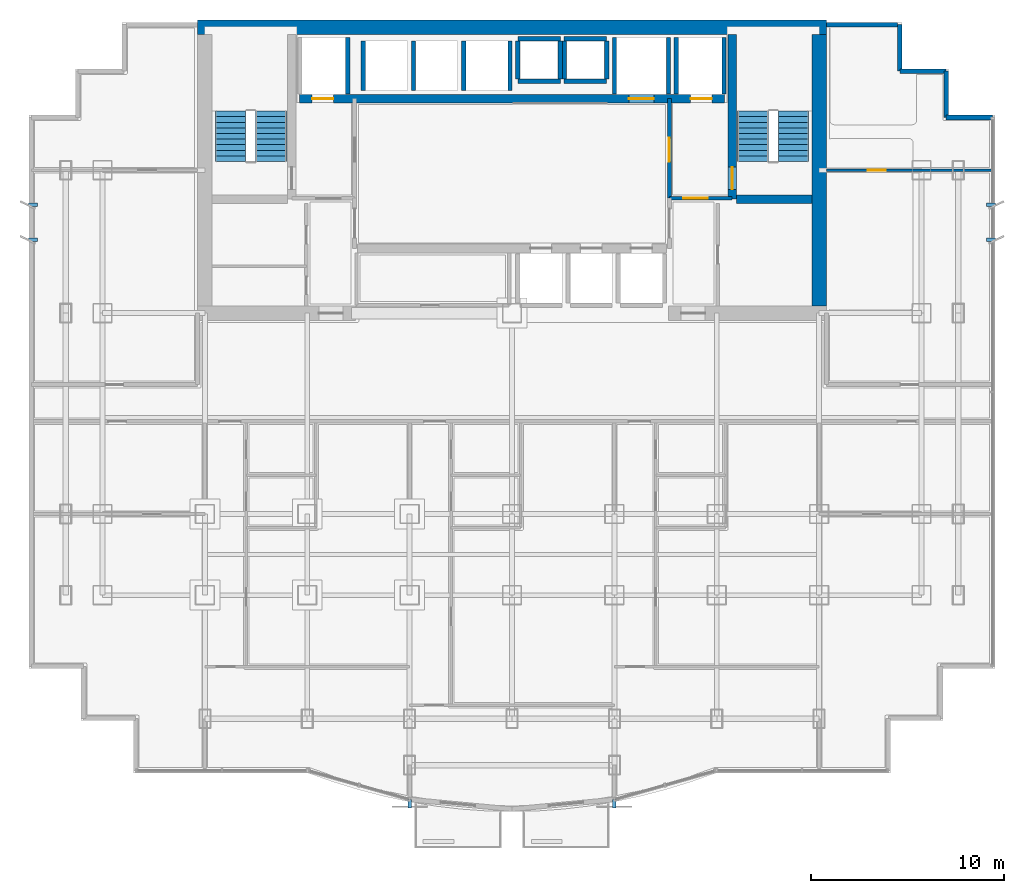
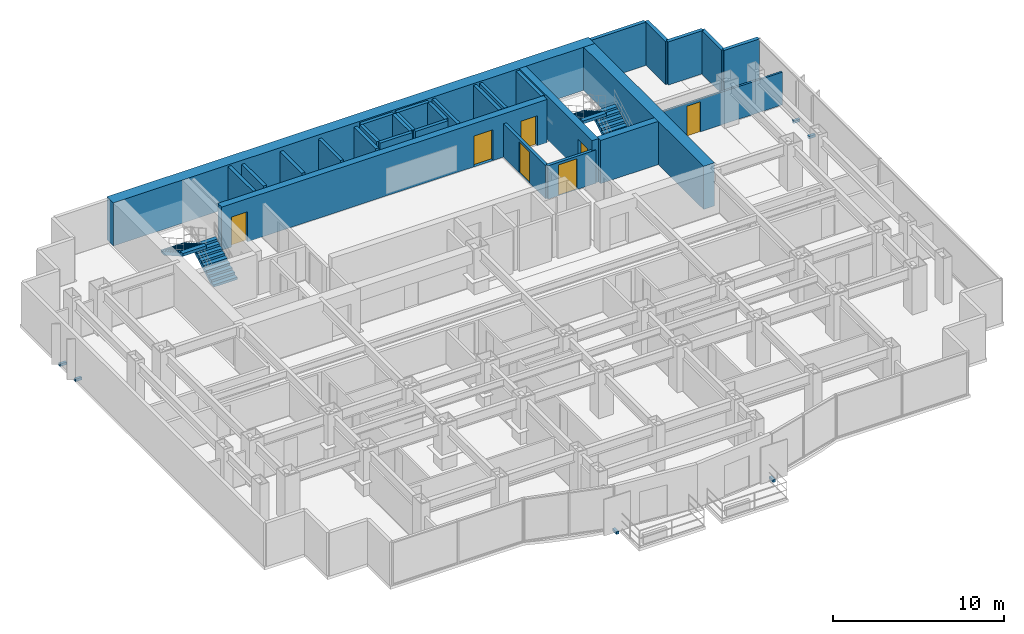
# One storey, part 9 of 11: 30 walls, 7 doors, 6 discrete accessories, 4 stair flights, 7 openings, 2 elements without a shape of their own.
"""IFC4 building model written with IfcOpenShell, lengths in metres."""

from ifc_helpers import new_model, si_unit, direction, frame, frame_2d, origin, origin_2d, place, context, subcontext, project, spatial, polyline, rectangle, outline, extrude, source, transform, mapped, material, layer, layer_set, type_object, element, fill, aggregate, save


model = new_model("IFC4")

# Units and contexts
model_context = context("Model", 3, precision=1e-05, world=origin(), true_north=direction((0.0, 1.0)))
body_context = subcontext(model_context, "Body", "Model", "MODEL_VIEW")
ifc_project = project(units=[si_unit("LENGTHUNIT", "METRE"), si_unit("AREAUNIT", "SQUARE_METRE"), si_unit("VOLUMEUNIT", "CUBIC_METRE"), si_unit("PLANEANGLEUNIT", "RADIAN"), si_unit("MASSUNIT", "GRAM", prefix="KILO")], contexts=[model_context])

# Site, building, storey
site_placement = place(None, origin())
site = spatial("IfcSite", under=ifc_project, at=site_placement, CompositionType="ELEMENT")
building_placement = place(site_placement, origin())
building = spatial("IfcBuilding", under=site, at=building_placement, Name="Qianlan Lanfeng Residences", CompositionType="ELEMENT")
storey_placement = place(building_placement, frame((0.0, 0.0, 104.800048828125)))
storey = spatial("IfcBuildingStorey", under=building, at=storey_placement, Name="L28", CompositionType="ELEMENT", Elevation=104.800048828125)

# Wall, opening, door
ifc_material_1 = material(Name="Concrete C60", Category="concrete")
ifc_layer_1 = layer(ifc_material_1, 0.449951171875)
ifc_layer_set_1 = layer_set([ifc_layer_1], Name="Concrete C60")
wall_type_1 = type_object("IfcWallType", Name="CW-RC-450", PredefinedType="SHEAR", material=ifc_layer_set_1)
wall_1_placement = place(storey_placement, frame((37.89990234375, 31.10009765625, 0.0), z_axis=(0.0, 0.0, 1.0), x_axis=(0.0, 1.0, 0.0)))
wall_1 = element("IfcWall", 1, at=wall_1_placement, inside=storey, type_object=wall_type_1, Name="L28 Core Shear Wall ST2W", PredefinedType="SHEAR", context=body_context, shape_type="SweptSolid", body=[
    extrude(rectangle(XDim=8.52490234375, YDim=0.449951171875, at=frame_2d((4.262451171875, 0.0))), origin(), (0.0, 0.0, 1.0), 3.08984375),
])
opening_1_placement = place(wall_1_placement, frame((0.510009765625, 0.0, 0.0)))
opening_1 = element("IfcOpeningElement", 2, at=opening_1_placement, cuts=wall_1, Name="Opening L28-D08", PredefinedType="OPENING", context=body_context, shape_type="SweptSolid", body=[
    extrude(rectangle(XDim=1.14990234375, YDim=2.199951171875, at=frame_2d((0.574951171875, 1.10009765625))), frame((0.0, 0.23486328125, 0.0), z_axis=(0.0, -1.0, 0.0), x_axis=(1.0, 0.0, 0.0)), (0.0, 0.0, 1.0), 0.469970703125),
])
ifc_material_2 = material(Name="Painted Galvanised Steel Fire Door", Category="steel")
door_type_1 = type_object("IfcDoorType", Name="DT-ST1", OperationType="NOTDEFINED", PredefinedType="DOOR", material=ifc_material_2)
door_1_placement = place(opening_1_placement, origin())
door_1 = element("IfcDoor", 3, at=door_1_placement, inside=storey, type_object=door_type_1, Name="L28 Exit Stair ST-2 Door L28-D08 (DT-ST1)", OperationType="SINGLE_SWING_RIGHT", OverallHeight=2.199951171875, OverallWidth=1.14990234375, PredefinedType="DOOR", context=body_context, shape_type="SweptSolid", body=[
    extrude(rectangle(XDim=1.14990234375, YDim=2.199951171875, at=frame_2d((0.574951171875, 1.10009765625))), frame((0.0, 0.02490234375, 0.0), z_axis=(0.0, -1.0, 0.0), x_axis=(1.0, 0.0, 0.0)), (0.0, 0.0, 1.0), 0.050048828125),
])
fill(opening_1, door_1)

# Wall
wall_2_placement = place(storey_placement, frame((38.125, 31.10009765625, 0.0), z_axis=(0.0, 0.0, 1.0), x_axis=(1.0, 0.0, 0.0)))
element("IfcWall", 4, at=wall_2_placement, inside=storey, type_object=wall_type_1, Name="L28 Core Shear Wall ST2S", PredefinedType="SHEAR", context=body_context, shape_type="SweptSolid", body=[
    extrude(rectangle(XDim=3.89990234375, YDim=0.449951171875, at=frame_2d((1.949951171875, 0.0))), origin(), (0.0, 0.0, 1.0), 3.08984375),
])

# Wall, openings, doors
wall_3_placement = place(storey_placement, frame((15.5, 36.300048828125, 0.0), z_axis=(0.0, 0.0, 1.0), x_axis=(1.0, 0.0, 0.0)))
wall_3 = element("IfcWall", 5, at=wall_3_placement, inside=storey, type_object=wall_type_1, Name="L28 Core Shear Wall LBN", PredefinedType="SHEAR", context=body_context, shape_type="SweptSolid", body=[
    extrude(rectangle(XDim=22.0, YDim=0.449951171875, at=frame_2d((11.0, 0.0))), origin(), (0.0, 0.0, 1.0), 3.08984375),
])
opening_2_placement = place(wall_3_placement, frame((0.64990234375, 0.0, 0.0)))
opening_2 = element("IfcOpeningElement", 6, at=opening_2_placement, cuts=wall_3, Name="Opening L28-LD-FFL-1", PredefinedType="OPENING", context=body_context, shape_type="SweptSolid", body=[
    extrude(rectangle(XDim=1.10009765625, YDim=2.14990234375, at=frame_2d((0.550048828125, 1.074951171875))), frame((0.0, 0.23486328125, 0.0), z_axis=(0.0, -1.0, 0.0), x_axis=(1.0, 0.0, 0.0)), (0.0, 0.0, 1.0), 0.469970703125),
])
opening_3_placement = place(wall_3_placement, frame((20.25, 0.0, 0.0)))
opening_3 = element("IfcOpeningElement", 7, at=opening_3_placement, cuts=wall_3, Name="Opening L28-LD-FFL-2", PredefinedType="OPENING", context=body_context, shape_type="SweptSolid", body=[
    extrude(rectangle(XDim=1.10009765625, YDim=2.14990234375, at=frame_2d((0.550048828125, 1.074951171875))), frame((0.0, 0.23486328125, 0.0), z_axis=(0.0, -1.0, 0.0), x_axis=(1.0, 0.0, 0.0)), (0.0, 0.0, 1.0), 0.469970703125),
])
opening_4_placement = place(wall_3_placement, frame((17.050048828125, 0.0, 0.0)))
opening_4 = element("IfcOpeningElement", 8, at=opening_4_placement, cuts=wall_3, Name="Opening L28-LD-SVL-1", PredefinedType="OPENING", context=body_context, shape_type="SweptSolid", body=[
    extrude(rectangle(XDim=1.300048828125, YDim=2.199951171875, at=frame_2d((0.64990234375, 1.10009765625))), frame((0.0, 0.23486328125, 0.0), z_axis=(0.0, -1.0, 0.0), x_axis=(1.0, 0.0, 0.0)), (0.0, 0.0, 1.0), 0.469970703125),
])
ifc_material_3 = material(Name="Brushed Stainless Steel Sliding Lift Door", Category="steel")
door_type_2 = type_object("IfcDoorType", Name="LD-01", OperationType="NOTDEFINED", PredefinedType="DOOR", material=ifc_material_3)
door_2_placement = place(opening_2_placement, frame((1.10009765625, 0.0, 0.0), z_axis=(0.0, 0.0, 1.0), x_axis=(-1.0, 0.0, 0.0)))
door_2 = element("IfcDoor", 9, at=door_2_placement, inside=storey, type_object=door_type_2, Name="L28 Elevator FFL-1 Sliding Landing Door", OperationType="DOUBLE_DOOR_SLIDING", OverallHeight=2.14990234375, OverallWidth=1.10009765625, PredefinedType="DOOR", context=body_context, shape_type="SweptSolid", body=[
    extrude(rectangle(XDim=1.10009765625, YDim=2.14990234375, at=frame_2d((0.550048828125, 1.074951171875))), frame((0.0, 0.02490234375, 0.0), z_axis=(0.0, -1.0, 0.0), x_axis=(1.0, 0.0, 0.0)), (0.0, 0.0, 1.0), 0.050048828125),
])
fill(opening_2, door_2)
door_3_placement = place(opening_3_placement, frame((1.10009765625, 0.0, 0.0), z_axis=(0.0, 0.0, 1.0), x_axis=(-1.0, 0.0, 0.0)))
door_3 = element("IfcDoor", 10, at=door_3_placement, inside=storey, type_object=door_type_2, Name="L28 Elevator FFL-2 Sliding Landing Door", OperationType="DOUBLE_DOOR_SLIDING", OverallHeight=2.14990234375, OverallWidth=1.10009765625, PredefinedType="DOOR", context=body_context, shape_type="SweptSolid", body=[
    extrude(rectangle(XDim=1.10009765625, YDim=2.14990234375, at=frame_2d((0.550048828125, 1.074951171875))), frame((0.0, 0.02490234375, 0.0), z_axis=(0.0, -1.0, 0.0), x_axis=(1.0, 0.0, 0.0)), (0.0, 0.0, 1.0), 0.050048828125),
])
fill(opening_3, door_3)
door_type_3 = type_object("IfcDoorType", Name="LD-02", OperationType="NOTDEFINED", PredefinedType="DOOR", material=ifc_material_3)
door_4_placement = place(opening_4_placement, frame((1.300048828125, 0.0, 0.0), z_axis=(0.0, 0.0, 1.0), x_axis=(-1.0, 0.0, 0.0)))
door_4 = element("IfcDoor", 11, at=door_4_placement, inside=storey, type_object=door_type_3, Name="L28 Elevator SVL-1 Sliding Landing Door", OperationType="DOUBLE_DOOR_SLIDING", OverallHeight=2.199951171875, OverallWidth=1.300048828125, PredefinedType="DOOR", context=body_context, shape_type="SweptSolid", body=[
    extrude(rectangle(XDim=1.300048828125, YDim=2.199951171875, at=frame_2d((0.64990234375, 1.10009765625))), frame((0.0, 0.02490234375, 0.0), z_axis=(0.0, -1.0, 0.0), x_axis=(1.0, 0.0, 0.0)), (0.0, 0.0, 1.0), 0.050048828125),
])
fill(opening_4, door_4)

# Walls
ifc_layer_2 = layer(ifc_material_1, 0.75)
ifc_layer_set_2 = layer_set([ifc_layer_2], Name="Concrete C60")
wall_type_2 = type_object("IfcWallType", Name="CW-RC-750", PredefinedType="SHEAR", material=ifc_layer_set_2)
wall_4_placement = place(storey_placement, frame((10.22509765625, 40.0, 0.0), z_axis=(0.0, 0.0, 1.0), x_axis=(1.0, 0.0, 0.0)))
element("IfcWall", 12, at=wall_4_placement, inside=storey, type_object=wall_type_2, Name="L28 Core Shear Wall N", PredefinedType="SHEAR", context=body_context, shape_type="SweptSolid", body=[
    extrude(rectangle(XDim=32.5498046875, YDim=0.75, at=frame_2d((16.27490234375, 0.0))), origin(), (0.0, 0.0, 1.0), 3.08984375),
])
wall_5_placement = place(storey_placement, frame((42.39990234375, 25.574951171875, 0.0), z_axis=(0.0, 0.0, 1.0), x_axis=(0.0, 1.0, 0.0)))
element("IfcWall", 13, at=wall_5_placement, inside=storey, type_object=wall_type_2, Name="L28 Core Shear Wall E", PredefinedType="SHEAR", context=body_context, shape_type="SweptSolid", body=[
    extrude(rectangle(XDim=14.050048828125, YDim=0.75, at=frame_2d((7.02490234375, 0.0))), origin(), (0.0, 0.0, 1.0), 3.08984375),
])
ifc_material_4 = material(Name="Concrete C42", Category="concrete")
ifc_layer_3 = layer(ifc_material_4, 0.239990234375)
ifc_layer_set_3 = layer_set([ifc_layer_3], Name="Concrete C42")
wall_type_3 = type_object("IfcWallType", Name="EW-240", PredefinedType="SOLIDWALL", material=ifc_layer_set_3)
for number, where, z_axis, x_axis, name in (
    (14, (51.3798828125, 35.330078125, 0.0), (0.0, 0.0, 1.0), (-1.0, 0.0, 0.0), "L28 Exterior Facade Spandrel Wall 11"),
    (15, (48.97998046875, 35.330078125, 0.0), (0.0, 0.0, 1.0), (0.0, 1.0, 0.0), "L28 Exterior Facade Spandrel Wall 12"),
    (16, (48.97998046875, 37.72998046875, 0.0), (0.0, 0.0, 1.0), (-1.0, 0.0, 0.0), "L28 Exterior Facade Spandrel Wall 13"),
    (17, (46.580078125, 37.72998046875, 0.0), (0.0, 0.0, 1.0), (0.0, 1.0, 0.0), "L28 Exterior Facade Spandrel Wall 14"),
):
    element("IfcWall", number, at=place(storey_placement, frame(where, z_axis=z_axis, x_axis=x_axis)), inside=storey, type_object=wall_type_3, Name=name, PredefinedType="SOLIDWALL", context=body_context, shape_type="SweptSolid", body=[
        extrude(rectangle(XDim=2.39990234375, YDim=0.239990234375, at=frame_2d((1.199951171875, 0.0))), origin(), (0.0, 0.0, 1.0), 3.08984375),
    ])
wall_6_placement = place(storey_placement, frame((46.449951171875, 40.1298828125, 0.0), z_axis=(0.0, 0.0, 1.0), x_axis=(-1.0, 0.0, 0.0)))
element("IfcWall", 18, at=wall_6_placement, inside=storey, type_object=wall_type_3, Name="L28 North Wing Exterior Wall E", PredefinedType="SOLIDWALL", context=body_context, shape_type="SweptSolid", body=[
    extrude(rectangle(XDim=3.675048828125, YDim=0.239990234375, at=frame_2d((1.83740234375, 0.0))), origin(), (0.0, 0.0, 1.0), 3.08984375),
])

# Wall, opening, door
ifc_material_5 = material(Name="Moisture-Resistant Gypsum Partition 135 mm")
ifc_layer_4 = layer(ifc_material_5, 0.135009765625)
ifc_layer_set_4 = layer_set([ifc_layer_4], Name="Moisture-Resistant Gypsum Partition 135 mm")
wall_type_4 = type_object("IfcWallType", Name="PW-135", PredefinedType="PARTITIONING", material=ifc_layer_set_4)
wall_7_placement = place(storey_placement, frame((42.77490234375, 32.60009765625, 0.0), z_axis=(0.0, 0.0, 1.0), x_axis=(1.0, 0.0, 0.0)))
wall_7 = element("IfcWall", 19, at=wall_7_placement, inside=storey, type_object=wall_type_4, Name="L28 EW North Wing Wall", PredefinedType="PARTITIONING", context=body_context, shape_type="SweptSolid", body=[
    extrude(rectangle(XDim=8.60498046875, YDim=0.135009765625, at=frame_2d((4.302490234375, 0.0))), origin(), (0.0, 0.0, 1.0), 2.3349609375),
])
opening_5_placement = place(wall_7_placement, frame((2.14306640625, 0.0, 0.0)))
opening_5 = element("IfcOpeningElement", 20, at=opening_5_placement, cuts=wall_7, Name="Opening L28-D36", PredefinedType="OPENING", context=body_context, shape_type="SweptSolid", body=[
    extrude(rectangle(XDim=0.919921875, YDim=2.14990234375, at=frame_2d((0.4599609375, 1.074951171875))), frame((0.0, 0.07763671875, 0.0), z_axis=(0.0, -1.0, 0.0), x_axis=(1.0, 0.0, 0.0)), (0.0, 0.0, 1.0), 0.155029296875),
])
ifc_material_6 = material(Name="Glazed Timber Kitchen/Study Door", Category="wood")
door_type_4 = type_object("IfcDoorType", Name="DT-INT", OperationType="NOTDEFINED", PredefinedType="DOOR", material=ifc_material_6)
door_5_placement = place(opening_5_placement, origin())
door_5 = element("IfcDoor", 21, at=door_5_placement, inside=storey, type_object=door_type_4, Name="L28 EW Inner Salon Door L28-D36 (DT-INT)", OperationType="SINGLE_SWING_RIGHT", OverallHeight=2.14990234375, OverallWidth=0.919921875, PredefinedType="DOOR", context=body_context, shape_type="SweptSolid", body=[
    extrude(rectangle(XDim=0.919921875, YDim=2.14990234375, at=frame_2d((0.4599609375, 1.074951171875))), frame((0.0, 0.02490234375, 0.0), z_axis=(0.0, -1.0, 0.0), x_axis=(1.0, 0.0, 0.0)), (0.0, 0.0, 1.0), 0.050048828125),
])
fill(opening_5, door_5)

ifc_material_7 = material(Name="Autoclaved Aerated Concrete Blockwork 200 mm", Category="masonry")
ifc_layer_5 = layer(ifc_material_7, 0.199951171875)
ifc_layer_set_5 = layer_set([ifc_layer_5], Name="Autoclaved Aerated Concrete Blockwork 200 mm")
wall_type_5 = type_object("IfcWallType", Name="PW-200", PredefinedType="PARTITIONING", material=ifc_layer_set_5)
wall_8_placement = place(storey_placement, frame((34.64990234375, 31.14990234375, 0.0), z_axis=(0.0, 0.0, 1.0), x_axis=(1.0, 0.0, 0.0)))
wall_8 = element("IfcWall", 22, at=wall_8_placement, inside=storey, type_object=wall_type_5, Name="L28 Firefighting Lobby 2 South Wall", PredefinedType="PARTITIONING", context=body_context, shape_type="SweptSolid", body=[
    extrude(rectangle(XDim=3.25, YDim=0.199951171875, at=frame_2d((1.625, 0.0))), origin(), (0.0, 0.0, 1.0), 2.3798828125),
])
opening_6_placement = place(wall_8_placement, frame((0.72509765625, 0.0, 0.0)))
opening_6 = element("IfcOpeningElement", 23, at=opening_6_placement, cuts=wall_8, Name="Opening L28-D05", PredefinedType="OPENING", context=body_context, shape_type="SweptSolid", body=[
    extrude(rectangle(XDim=1.25, YDim=2.199951171875, at=frame_2d((0.625, 1.10009765625))), frame((0.0, 0.10986328125, 0.0), z_axis=(0.0, -1.0, 0.0), x_axis=(1.0, 0.0, 0.0)), (0.0, 0.0, 1.0), 0.219970703125),
])
door_type_5 = type_object("IfcDoorType", Name="DT-FFL", OperationType="NOTDEFINED", PredefinedType="DOOR", material=ifc_material_2)
door_6_placement = place(opening_6_placement, origin())
door_6 = element("IfcDoor", 24, at=door_6_placement, inside=storey, type_object=door_type_5, Name="L28 Firefighting Lobby 2 Entry Door L28-D05 (DT-FFL)", OperationType="SINGLE_SWING_RIGHT", OverallHeight=2.199951171875, OverallWidth=1.25, PredefinedType="DOOR", context=body_context, shape_type="SweptSolid", body=[
    extrude(rectangle(XDim=1.25, YDim=2.199951171875, at=frame_2d((0.625, 1.10009765625))), frame((0.0, 0.02490234375, 0.0), z_axis=(0.0, -1.0, 0.0), x_axis=(1.0, 0.0, 0.0)), (0.0, 0.0, 1.0), 0.050048828125),
])
fill(opening_6, door_6)

wall_9_placement = place(storey_placement, frame((34.64990234375, 31.14990234375, 0.0), z_axis=(0.0, 0.0, 1.0), x_axis=(0.0, 1.0, 0.0)))
wall_9 = element("IfcWall", 25, at=wall_9_placement, inside=storey, type_object=wall_type_5, Name="L28 Firefighting Lobby 2 West Wall", PredefinedType="PARTITIONING", context=body_context, shape_type="SweptSolid", body=[
    extrude(rectangle(XDim=5.150146484375, YDim=0.199951171875, at=frame_2d((2.5751953125, 0.0))), origin(), (0.0, 0.0, 1.0), 2.3798828125),
])
opening_7_placement = place(wall_9_placement, frame((1.875, 0.0, 0.0)))
opening_7 = element("IfcOpeningElement", 26, at=opening_7_placement, cuts=wall_9, Name="Opening L28-D06", PredefinedType="OPENING", context=body_context, shape_type="SweptSolid", body=[
    extrude(rectangle(XDim=1.25, YDim=2.199951171875, at=frame_2d((0.625, 1.10009765625))), frame((0.0, 0.10986328125, 0.0), z_axis=(0.0, -1.0, 0.0), x_axis=(1.0, 0.0, 0.0)), (0.0, 0.0, 1.0), 0.219970703125),
])
door_7_placement = place(opening_7_placement, origin())
door_7 = element("IfcDoor", 27, at=door_7_placement, inside=storey, type_object=door_type_5, Name="L28 Firefighting Lobby 2 Lift Lobby Door L28-D06 (DT-FFL)", OperationType="SINGLE_SWING_RIGHT", OverallHeight=2.199951171875, OverallWidth=1.25, PredefinedType="DOOR", context=body_context, shape_type="SweptSolid", body=[
    extrude(rectangle(XDim=1.25, YDim=2.199951171875, at=frame_2d((0.625, 1.10009765625))), frame((0.0, 0.02490234375, 0.0), z_axis=(0.0, -1.0, 0.0), x_axis=(1.0, 0.0, 0.0)), (0.0, 0.0, 1.0), 0.050048828125),
])
fill(opening_7, door_7)

# Walls
ifc_material_8 = material(Name="Concrete C49", Category="concrete")
ifc_layer_6 = layer(ifc_material_8, 0.219970703125)
ifc_layer_set_6 = layer_set([ifc_layer_6], Name="Concrete C49")
wall_type_6 = type_object("IfcWallType", Name="SHW-220", PredefinedType="SOLIDWALL", material=ifc_layer_set_6)
for number, where, z_axis, x_axis, name in (
    (28, (18.0, 36.550048828125, 0.0), (0.0, 0.0, 1.0), (0.0, 1.0, 0.0), "L28 Lift FFL-1 Shaft Wall E"),
    (29, (35.0, 36.550048828125, 0.0), (0.0, 0.0, 1.0), (0.0, 1.0, 0.0), "L28 Lift FFL-2 Shaft Wall W"),
    (30, (37.47998046875, 36.550048828125, 0.0), (0.0, 0.0, 1.0), (0.0, 1.0, 0.0), "L28 Lift FFL-2 Shaft Wall E"),
    (31, (31.800048828125, 36.550048828125, 0.0), (0.0, 0.0, 1.0), (0.0, 1.0, 0.0), "L28 Lift SVL-1 Shaft Wall W"),
    (32, (34.60009765625, 36.550048828125, 0.0), (0.0, 0.0, 1.0), (0.0, 1.0, 0.0), "L28 Lift SVL-1 Shaft Wall E"),
):
    element("IfcWall", number, at=place(storey_placement, frame(where, z_axis=z_axis, x_axis=x_axis)), inside=storey, type_object=wall_type_6, Name=name, PredefinedType="SOLIDWALL", context=body_context, shape_type="SweptSolid", body=[
        extrude(rectangle(XDim=2.929931640625, YDim=0.219970703125, at=frame_2d((1.46484375, 0.0))), origin(), (0.0, 0.0, 1.0), 3.08984375),
    ])
for number, where, z_axis, x_axis, name in (
    (33, (18.800048828125, 36.719970703125, 0.0), (0.0, 0.0, 1.0), (0.0, 1.0, 0.0), "L28 Lift PL-H1 Shaft Wall W"),
    (34, (21.39990234375, 36.719970703125, 0.0), (0.0, 0.0, 1.0), (0.0, 1.0, 0.0), "L28 Lift PL-H2 Shaft Wall W"),
    (35, (24.0, 36.719970703125, 0.0), (0.0, 0.0, 1.0), (0.0, 1.0, 0.0), "L28 Lift PL-H3 Shaft Wall W"),
    (36, (26.39990234375, 36.719970703125, 0.0), (0.0, 0.0, 1.0), (0.0, 1.0, 0.0), "L28 Lift PL-H3 Shaft Wall E"),
):
    element("IfcWall", number, at=place(storey_placement, frame(where, z_axis=z_axis, x_axis=x_axis)), inside=storey, type_object=wall_type_6, Name=name, PredefinedType="SOLIDWALL", context=body_context, shape_type="SweptSolid", body=[
        extrude(rectangle(XDim=2.56005859375, YDim=0.219970703125, at=frame_2d((1.280029296875, 0.0))), origin(), (0.0, 0.0, 1.0), 3.08984375),
    ])
for number, where, z_axis, x_axis, name in (
    (37, (26.800048828125, 37.31005859375, 0.0), (0.0, 0.0, 1.0), (0.0, 1.0, 0.0), "L28 MEP Riser MEP-R1 Shaft Wall W"),
    (38, (29.0, 37.31005859375, 0.0), (0.0, 0.0, 1.0), (0.0, 1.0, 0.0), "L28 MEP Riser MEP-R1 Shaft Wall E"),
):
    element("IfcWall", number, at=place(storey_placement, frame(where, z_axis=z_axis, x_axis=x_axis)), inside=storey, type_object=wall_type_6, Name=name, PredefinedType="SOLIDWALL", context=body_context, shape_type="SweptSolid", body=[
        extrude(rectangle(XDim=1.97998046875, YDim=0.219970703125, at=frame_2d((0.989990234375, 0.0))), origin(), (0.0, 0.0, 1.0), 3.08984375),
    ])
for number, where, z_axis, x_axis, name in (
    (39, (26.800048828125, 39.39990234375, 0.0), (0.0, 0.0, 1.0), (1.0, 0.0, 0.0), "L28 MEP Riser MEP-R1 Shaft Wall N"),
    (40, (26.800048828125, 37.199951171875, 0.0), (0.0, 0.0, 1.0), (1.0, 0.0, 0.0), "L28 MEP Riser MEP-R1 Shaft Wall S"),
):
    element("IfcWall", number, at=place(storey_placement, frame(where, z_axis=z_axis, x_axis=x_axis)), inside=storey, type_object=wall_type_6, Name=name, PredefinedType="SOLIDWALL", context=body_context, shape_type="SweptSolid", body=[
        extrude(rectangle(XDim=2.199951171875, YDim=0.219970703125, at=frame_2d((1.10009765625, 0.0))), origin(), (0.0, 0.0, 1.0), 3.08984375),
    ])
for number, where, z_axis, x_axis, name in (
    (41, (29.199951171875, 37.31005859375, 0.0), (0.0, 0.0, 1.0), (0.0, 1.0, 0.0), "L28 MEP Riser MEP-R2 Shaft Wall W"),
    (42, (31.39990234375, 37.31005859375, 0.0), (0.0, 0.0, 1.0), (0.0, 1.0, 0.0), "L28 MEP Riser MEP-R2 Shaft Wall E"),
):
    element("IfcWall", number, at=place(storey_placement, frame(where, z_axis=z_axis, x_axis=x_axis)), inside=storey, type_object=wall_type_6, Name=name, PredefinedType="SOLIDWALL", context=body_context, shape_type="SweptSolid", body=[
        extrude(rectangle(XDim=1.97998046875, YDim=0.219970703125, at=frame_2d((0.989990234375, 0.0))), origin(), (0.0, 0.0, 1.0), 3.08984375),
    ])
for number, where, z_axis, x_axis, name in (
    (43, (29.199951171875, 39.39990234375, 0.0), (0.0, 0.0, 1.0), (1.0, 0.0, 0.0), "L28 MEP Riser MEP-R2 Shaft Wall N"),
    (44, (29.199951171875, 37.199951171875, 0.0), (0.0, 0.0, 1.0), (1.0, 0.0, 0.0), "L28 MEP Riser MEP-R2 Shaft Wall S"),
):
    element("IfcWall", number, at=place(storey_placement, frame(where, z_axis=z_axis, x_axis=x_axis)), inside=storey, type_object=wall_type_6, Name=name, PredefinedType="SOLIDWALL", context=body_context, shape_type="SweptSolid", body=[
        extrude(rectangle(XDim=2.199951171875, YDim=0.219970703125, at=frame_2d((1.10009765625, 0.0))), origin(), (0.0, 0.0, 1.0), 3.08984375),
    ])

# Stair, stair flights
stair_type = type_object("IfcStairType", Name="STR-MAIN", PredefinedType="HALF_TURN_STAIR", material=ifc_material_4)
stair_1_placement = place(storey_placement, origin())
stair_1 = element("IfcStair", 45, at=stair_1_placement, inside=storey, type_object=stair_type, Name="L28 Exit Stair ST-1", PredefinedType="HALF_TURN_STAIR")
stair_flight_type = type_object("IfcStairFlightType", Name="FLT-1720", PredefinedType="STRAIGHT", material=ifc_material_4)
stair_flight_1_placement = place(storey_placement, frame((14.02001953125, 33.050048828125, 0.0), z_axis=(0.0, 0.0, 1.0), x_axis=(0.0, 1.0, 0.0)))
stair_flight_1 = element("IfcStairFlight", 46, at=stair_flight_1_placement, type_object=stair_flight_type, Name="ST-1 flight 1", NumberOfRisers=10, NumberOfTreads=9, PredefinedType="STRAIGHT", RiserHeight=0.165, TreadLength=0.29, context=body_context, shape_type="SweptSolid", body=[
    extrude(outline(polyline([(0.0, 0.0), (0.0, 0.1650390625), (0.2900390625, 0.1650390625), (0.2900390625, 0.330078125), (0.580078125, 0.330078125), (0.580078125, 0.4951171875), (0.8701171875, 0.4951171875), (0.8701171875, 0.659912109375), (1.159912109375, 0.659912109375), (1.159912109375, 0.824951171875), (1.449951171875, 0.824951171875), (1.449951171875, 0.989990234375), (1.739990234375, 0.989990234375), (1.739990234375, 1.155029296875), (2.030029296875, 1.155029296875), (2.030029296875, 1.320068359375), (2.320068359375, 1.320068359375), (2.320068359375, 1.485107421875), (2.610107421875, 1.485107421875), (2.610107421875, 1.64990234375), (2.610107421875, 1.278076171875), (0.36376953125, 0.0), (0.0, 0.0)])), frame((0.0, 0.800048828125, 0.0), z_axis=(0.0, -1.0, 0.0), x_axis=(1.0, 0.0, 0.0)), (0.0, 0.0, 1.0), 1.60009765625),
])
stair_flight_2_placement = place(storey_placement, frame((11.93994140625, 35.659912109375, 1.64990234375), z_axis=(0.0, 0.0, 1.0), x_axis=(0.0, -1.0, 0.0)))
stair_flight_2 = element("IfcStairFlight", 47, at=stair_flight_2_placement, type_object=stair_flight_type, Name="ST-1 flight 2", NumberOfRisers=10, NumberOfTreads=9, PredefinedType="STRAIGHT", RiserHeight=0.165, TreadLength=0.29, context=body_context, shape_type="SweptSolid", body=[
    extrude(outline(polyline([(0.0, 0.0), (0.0, 0.1650390625), (0.2900390625, 0.1650390625), (0.2900390625, 0.330078125), (0.580078125, 0.330078125), (0.580078125, 0.4951171875), (0.8701171875, 0.4951171875), (0.8701171875, 0.659912109375), (1.159912109375, 0.659912109375), (1.159912109375, 0.824951171875), (1.449951171875, 0.824951171875), (1.449951171875, 0.989990234375), (1.739990234375, 0.989990234375), (1.739990234375, 1.155029296875), (2.030029296875, 1.155029296875), (2.030029296875, 1.320068359375), (2.320068359375, 1.320068359375), (2.320068359375, 1.485107421875), (2.610107421875, 1.485107421875), (2.610107421875, 1.64990234375), (2.610107421875, 1.278076171875), (0.36376953125, 0.0), (0.0, 0.0)])), frame((0.0, 0.800048828125, 0.0), z_axis=(0.0, -1.0, 0.0), x_axis=(1.0, 0.0, 0.0)), (0.0, 0.0, 1.0), 1.60009765625),
])
aggregate(stair_1, [stair_flight_1, stair_flight_2])

stair_2_placement = place(storey_placement, origin())
stair_2 = element("IfcStair", 48, at=stair_2_placement, inside=storey, type_object=stair_type, Name="L28 Exit Stair ST-2", PredefinedType="HALF_TURN_STAIR")
stair_flight_3_placement = place(storey_placement, frame((41.06005859375, 33.050048828125, 0.0), z_axis=(0.0, 0.0, 1.0), x_axis=(0.0, 1.0, 0.0)))
stair_flight_3 = element("IfcStairFlight", 49, at=stair_flight_3_placement, type_object=stair_flight_type, Name="ST-2 flight 1", NumberOfRisers=10, NumberOfTreads=9, PredefinedType="STRAIGHT", RiserHeight=0.165, TreadLength=0.29, context=body_context, shape_type="SweptSolid", body=[
    extrude(outline(polyline([(0.0, 0.0), (0.0, 0.1650390625), (0.2900390625, 0.1650390625), (0.2900390625, 0.330078125), (0.580078125, 0.330078125), (0.580078125, 0.4951171875), (0.8701171875, 0.4951171875), (0.8701171875, 0.659912109375), (1.159912109375, 0.659912109375), (1.159912109375, 0.824951171875), (1.449951171875, 0.824951171875), (1.449951171875, 0.989990234375), (1.739990234375, 0.989990234375), (1.739990234375, 1.155029296875), (2.030029296875, 1.155029296875), (2.030029296875, 1.320068359375), (2.320068359375, 1.320068359375), (2.320068359375, 1.485107421875), (2.610107421875, 1.485107421875), (2.610107421875, 1.64990234375), (2.610107421875, 1.278076171875), (0.36376953125, 0.0), (0.0, 0.0)])), frame((0.0, 0.800048828125, 0.0), z_axis=(0.0, -1.0, 0.0), x_axis=(1.0, 0.0, 0.0)), (0.0, 0.0, 1.0), 1.60009765625),
])
stair_flight_4_placement = place(storey_placement, frame((38.97998046875, 35.659912109375, 1.64990234375), z_axis=(0.0, 0.0, 1.0), x_axis=(0.0, -1.0, 0.0)))
stair_flight_4 = element("IfcStairFlight", 50, at=stair_flight_4_placement, type_object=stair_flight_type, Name="ST-2 flight 2", NumberOfRisers=10, NumberOfTreads=9, PredefinedType="STRAIGHT", RiserHeight=0.165, TreadLength=0.29, context=body_context, shape_type="SweptSolid", body=[
    extrude(outline(polyline([(0.0, 0.0), (0.0, 0.1650390625), (0.2900390625, 0.1650390625), (0.2900390625, 0.330078125), (0.580078125, 0.330078125), (0.580078125, 0.4951171875), (0.8701171875, 0.4951171875), (0.8701171875, 0.659912109375), (1.159912109375, 0.659912109375), (1.159912109375, 0.824951171875), (1.449951171875, 0.824951171875), (1.449951171875, 0.989990234375), (1.739990234375, 0.989990234375), (1.739990234375, 1.155029296875), (2.030029296875, 1.155029296875), (2.030029296875, 1.320068359375), (2.320068359375, 1.320068359375), (2.320068359375, 1.485107421875), (2.610107421875, 1.485107421875), (2.610107421875, 1.64990234375), (2.610107421875, 1.278076171875), (0.36376953125, 0.0), (0.0, 0.0)])), frame((0.0, 0.800048828125, 0.0), z_axis=(0.0, -1.0, 0.0), x_axis=(1.0, 0.0, 0.0)), (0.0, 0.0, 1.0), 1.60009765625),
])
aggregate(stair_2, [stair_flight_3, stair_flight_4])

# Discrete accessories
ifc_material_9 = material(Name="Stainless Steel Facade Bracket", Category="steel")
discrete_accessory_type = type_object("IfcDiscreteAccessoryType", Name="BRK-SS-350", PredefinedType="BRACKET", material=ifc_material_9)
shared_shape_1 = source(origin(), body_context, "Body", "SweptSolid", [
    extrude(rectangle(XDim=0.179931640625, YDim=0.449951171875, at=origin_2d()), origin(), (0.0, 0.0, 1.0), 0.179931640625),
])
for number, where, z_axis, x_axis, name in (
    (51, (21.199951171875, -0.199951171875, -0.14990234375), (0.0, 0.0, 1.0), (1.0, 0.0, 0.0), "L28 Solar Screen Support Bracket 1"),
    (52, (31.800048828125, -0.199951171875, -0.14990234375), (0.0, 0.0, 1.0), (1.0, 0.0, 0.0), "L28 Solar Screen Support Bracket 2"),
):
    element("IfcDiscreteAccessory", number, at=place(storey_placement, frame(where, z_axis=z_axis, x_axis=x_axis)), inside=storey, type_object=discrete_accessory_type, Name=name, PredefinedType="BRACKET", context=body_context, shape_type="MappedRepresentation", body=[
        mapped(shared_shape_1, transform((0.0, 0.0, 0.0), scale=1.0)),
    ])
shared_shape_2 = source(origin(), body_context, "Body", "SweptSolid", [
    extrude(rectangle(XDim=0.449951171875, YDim=0.179931640625, at=origin_2d()), origin(), (0.0, 0.0, 1.0), 0.179931640625),
])
for number, where, z_axis, x_axis, name in (
    (53, (1.699951171875, 29.0, -0.14990234375), (0.0, 0.0, 1.0), (1.0, 0.0, 0.0), "L28 Raked Solar Fin Support Bracket W1"),
    (54, (1.699951171875, 30.800048828125, -0.14990234375), (0.0, 0.0, 1.0), (1.0, 0.0, 0.0), "L28 Raked Solar Fin Support Bracket W2"),
    (55, (51.300048828125, 29.0, -0.14990234375), (0.0, 0.0, 1.0), (1.0, 0.0, 0.0), "L28 Raked Solar Fin Support Bracket E1"),
    (56, (51.300048828125, 30.800048828125, -0.14990234375), (0.0, 0.0, 1.0), (1.0, 0.0, 0.0), "L28 Raked Solar Fin Support Bracket E2"),
):
    element("IfcDiscreteAccessory", number, at=place(storey_placement, frame(where, z_axis=z_axis, x_axis=x_axis)), inside=storey, type_object=discrete_accessory_type, Name=name, PredefinedType="BRACKET", context=body_context, shape_type="MappedRepresentation", body=[
        mapped(shared_shape_2, transform((0.0, 0.0, 0.0), scale=1.0)),
    ])

save(model, "model.ifc")
